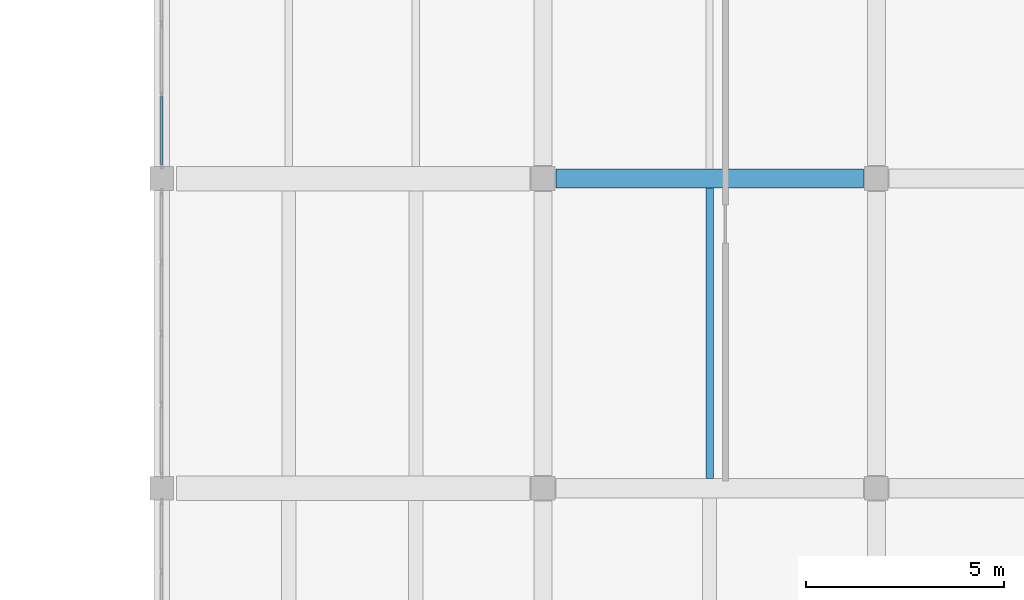
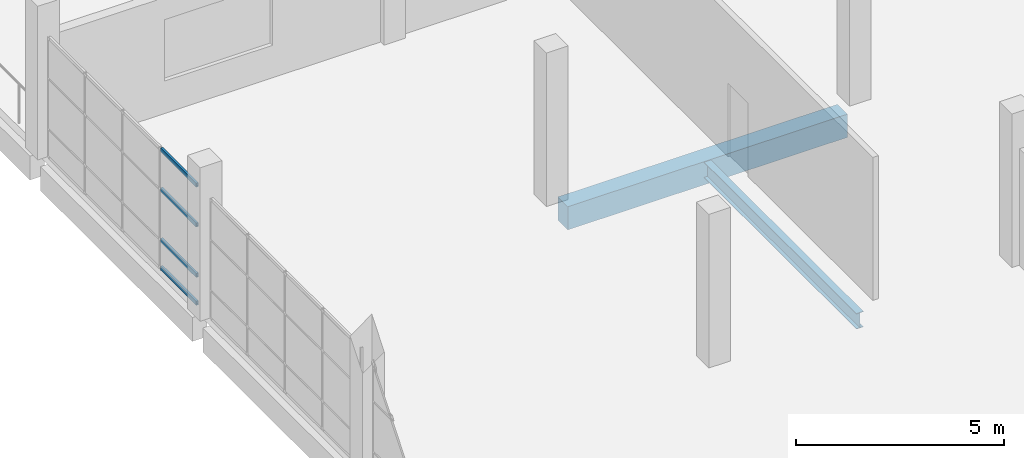
# One storey, part 28 of 71: 4 members, 2 beams, 1 element without a shape of its own.
"""IFC4 building model written with IfcOpenShell, lengths in metres."""

from ifc_helpers import new_model, si_unit, direction, frame, origin, origin_2d, place, context, subcontext, project, spatial, rectangle, hollow_rectangle, i_section, extrude, material, material_profile, profile_set, type_object, element, aggregate, save


model = new_model("IFC4")

# Units and contexts
model_context = context("Model", 3, precision=1e-05, world=origin(), true_north=direction((0.0, 1.0)))
body_context = subcontext(model_context, "Body", "Model", "MODEL_VIEW")
ifc_project = project(units=[si_unit("LENGTHUNIT", "METRE"), si_unit("AREAUNIT", "SQUARE_METRE"), si_unit("VOLUMEUNIT", "CUBIC_METRE"), si_unit("PLANEANGLEUNIT", "RADIAN"), si_unit("MASSUNIT", "GRAM", prefix="KILO")], contexts=[model_context])

# Site, building, storey
site_placement = place(None, origin())
site = spatial("IfcSite", under=ifc_project, at=site_placement, CompositionType="ELEMENT")
building_placement = place(site_placement, origin())
building = spatial("IfcBuilding", under=site, at=building_placement, Name="Pellamere Symphony Hall", CompositionType="ELEMENT")
storey_placement = place(building_placement, frame((0.0, 0.0, 15.0)))
storey = spatial("IfcBuildingStorey", under=building, at=storey_placement, Name="L03", CompositionType="ELEMENT", Elevation=15.0)

# Curtain wall, members
ifc_material_1 = material(Name="Thermally Broken Anodised Aluminium 6063-T6 Curtain Wall", Category="aluminium")
curtain_wall_type = type_object("IfcCurtainWallType", Name="Curtain Wall CW-05 (Artists Wing North Studio Ribbon Curtain Wall)", PredefinedType="NOTDEFINED", material=ifc_material_1)
curtain_wall_placement = place(storey_placement, origin())
curtain_wall = element("IfcCurtainWall", 1, at=curtain_wall_placement, inside=storey, type_object=curtain_wall_type, Name="Sculpture Court East Wing Curtain Wall (L03 Bay 3)", PredefinedType="NOTDEFINED")
ifc_material_2 = material(Name="Anodised Architectural Aluminium 6063-T6", Category="aluminium")
ifc_material_profile_1 = material_profile(ifc_material_2, hollow_rectangle(XDim=0.06005859375, YDim=0.1201171875, WallThickness=0.00390625, at=origin_2d()), Name="ALU-T60X120X4")
ifc_profile_set_1 = profile_set([ifc_material_profile_1], Name="Anodised Architectural Aluminium 6063-T6")
member_type = type_object("IfcMemberType", Name="Curtain Wall Transom TR-03 ALU-T60X120X4", PredefinedType="USERDEFINED", material=ifc_profile_set_1)
member_1_placement = place(storey_placement, frame((138.0, 77.760009765625, 0.030029296875), z_axis=(0.0, 1.0, 0.0), x_axis=(-1.0, 0.0, 0.0)))
member_1 = element("IfcMember", 2, at=member_1_placement, type_object=member_type, Name="CW5-144 crystal transom 1.1", ObjectType="TRANSOM", PredefinedType="USERDEFINED", context=body_context, shape_type="SweptSolid", body=[
    extrude(hollow_rectangle(XDim=0.06005859375, YDim=0.1201171875, WallThickness=0.00390625, at=origin_2d()), origin(), (0.0, 0.0, 1.0), 1.7099609375),
])
member_2_placement = place(storey_placement, frame((138.0, 77.760009765625, 0.8447265625), z_axis=(0.0, 1.0, 0.0), x_axis=(-1.0, 0.0, 0.0)))
member_2 = element("IfcMember", 3, at=member_2_placement, type_object=member_type, Name="CW5-144 crystal transom 1.2", ObjectType="TRANSOM", PredefinedType="USERDEFINED", context=body_context, shape_type="SweptSolid", body=[
    extrude(hollow_rectangle(XDim=0.06005859375, YDim=0.1201171875, WallThickness=0.00390625, at=origin_2d()), origin(), (0.0, 0.0, 1.0), 1.7099609375),
])
member_3_placement = place(storey_placement, frame((138.0, 77.760009765625, 2.3232421875), z_axis=(0.0, 1.0, 0.0), x_axis=(-1.0, 0.0, 0.0)))
member_3 = element("IfcMember", 4, at=member_3_placement, type_object=member_type, Name="CW5-144 crystal transom 1.3", ObjectType="TRANSOM", PredefinedType="USERDEFINED", context=body_context, shape_type="SweptSolid", body=[
    extrude(hollow_rectangle(XDim=0.06005859375, YDim=0.1201171875, WallThickness=0.00390625, at=origin_2d()), origin(), (0.0, 0.0, 1.0), 1.7099609375),
])
member_4_placement = place(storey_placement, frame((138.0, 77.760009765625, 3.489990234375), z_axis=(0.0, 1.0, 0.0), x_axis=(-1.0, 0.0, 0.0)))
member_4 = element("IfcMember", 5, at=member_4_placement, type_object=member_type, Name="CW5-144 crystal transom 1.4", ObjectType="TRANSOM", PredefinedType="USERDEFINED", context=body_context, shape_type="SweptSolid", body=[
    extrude(hollow_rectangle(XDim=0.06005859375, YDim=0.1201171875, WallThickness=0.00390625, at=origin_2d()), origin(), (0.0, 0.0, 1.0), 1.7099609375),
])
aggregate(curtain_wall, [member_1, member_2, member_3, member_4])

# Beams
ifc_material_3 = material(Name="Concrete 40 MPa", Category="concrete")
ifc_material_profile_2 = material_profile(ifc_material_3, rectangle(XDim=0.47998046875, YDim=0.679931640625, at=origin_2d()), Name="RC 480x680")
ifc_profile_set_2 = profile_set([ifc_material_profile_2], Name="Concrete 40 MPa")
beam_type_1 = type_object("IfcBeamType", Name="RC CB-19 480x680", PredefinedType="BEAM", material=ifc_profile_set_2)
beam_1_placement = place(storey_placement, frame((147.925048828125, 77.39990234375, -0.60009765625), z_axis=(1.0, 0.0, 0.0), x_axis=(0.0, 1.0, 0.0)))
element("IfcBeam", 6, at=beam_1_placement, inside=storey, type_object=beam_type_1, Name="Girder CB-19-X1581 (L03)", PredefinedType="BEAM", context=body_context, shape_type="SweptSolid", body=[
    extrude(rectangle(XDim=0.47998046875, YDim=0.679931640625, at=origin_2d()), origin(), (0.0, 0.0, 1.0), 7.75),
])
ifc_material_4 = material(Name="Steel CSA G40.21 350W", Category="steel")
ifc_material_profile_3 = material_profile(ifc_material_4, i_section(OverallWidth=0.19091796875, OverallDepth=0.4599609375, WebThickness=0.010009765625, FlangeThickness=0.014404296875, at=origin_2d()), Name="W460X82")
ifc_profile_set_3 = profile_set([ifc_material_profile_3], Name="Steel CSA G40.21 350W")
beam_type_2 = type_object("IfcBeamType", Name="Steel Joist SB-17 W460X82", PredefinedType="JOIST", material=ifc_profile_set_3)
beam_2_placement = place(storey_placement, frame((151.800048828125, 69.840087890625, -0.5048828125), z_axis=(0.0, 1.0, 0.0), x_axis=(-1.0, 0.0, 0.0)))
element("IfcBeam", 7, at=beam_2_placement, inside=storey, type_object=beam_type_2, Name="Secondary Floor Beam SB-17-M1809 (L03)", PredefinedType="JOIST", context=body_context, shape_type="SweptSolid", body=[
    extrude(i_section(OverallWidth=0.19091796875, OverallDepth=0.4599609375, WebThickness=0.010009765625, FlangeThickness=0.014404296875, at=origin_2d()), origin(), (0.0, 0.0, 1.0), 7.31982421875),
])

save(model, "model.ifc")
